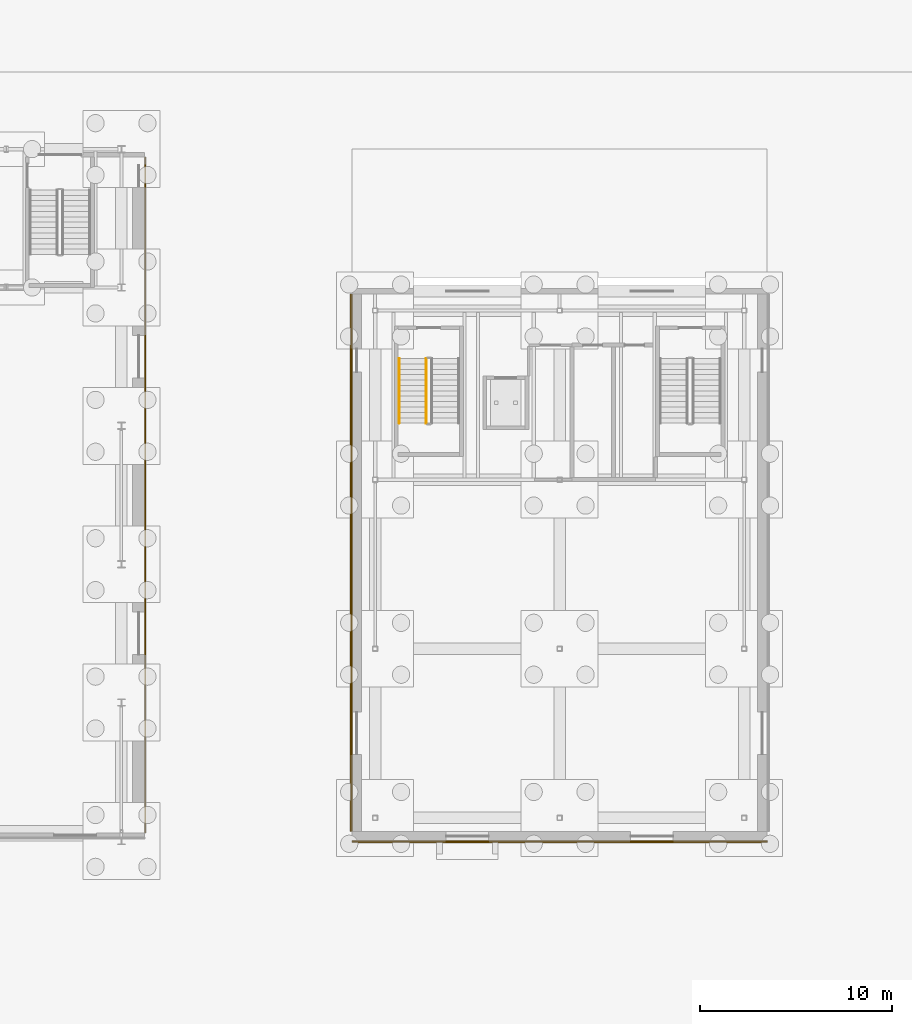
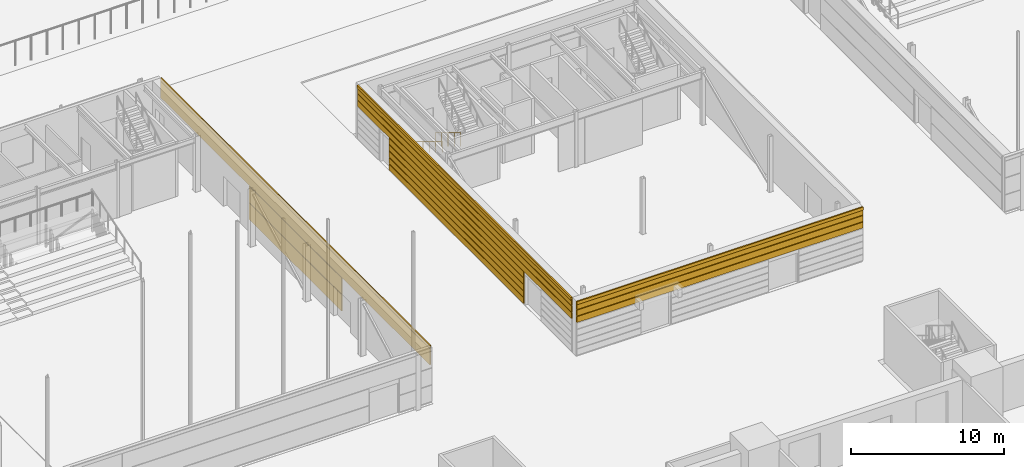
# One storey, part 126 of 139: 17 coverings, 2 railings.
"""IFC4 building model written with IfcOpenShell, lengths in metres."""

from ifc_helpers import new_model, si_unit, direction, frame, origin, origin_2d, place, context, subcontext, project, spatial, rectangle, circle, extrude, material, layer, layer_set, type_object, element, save


model = new_model("IFC4")

# Units and contexts
model_context = context("Model", 3, precision=1e-05, world=origin(), true_north=direction((0.0, 1.0)))
body_context = subcontext(model_context, "Body", "Model", "MODEL_VIEW")
ifc_project = project(units=[si_unit("LENGTHUNIT", "METRE"), si_unit("AREAUNIT", "SQUARE_METRE"), si_unit("VOLUMEUNIT", "CUBIC_METRE"), si_unit("PLANEANGLEUNIT", "RADIAN"), si_unit("MASSUNIT", "GRAM", prefix="KILO")], contexts=[model_context])

# Site, building, storey
site_placement = place(None, origin())
site = spatial("IfcSite", under=ifc_project, at=site_placement, CompositionType="ELEMENT")
building_placement = place(site_placement, origin())
building = spatial("IfcBuilding", under=site, at=building_placement, Name="Verrick Yard Athletic Hall", CompositionType="ELEMENT")
storey_placement = place(building_placement, origin())
storey = spatial("IfcBuildingStorey", under=building, at=storey_placement, Name="L00", CompositionType="ELEMENT", Elevation=0.0)

# Railings
ifc_material_1 = material(Name="Stainless steel", Category="steel")
railing_type_1 = type_object("IfcRailingType", Name="Stair and core guard 1100", PredefinedType="GUARDRAIL", material=ifc_material_1)
railing_1_placement = place(storey_placement, frame((91.85009765625, 97.10009765625, 0.169189453125)))
element("IfcRailing", 1, at=railing_1_placement, inside=storey, type_object=railing_type_1, Name="L00 Climbing hall west stair guard 1", PredefinedType="GUARDRAIL", context=body_context, shape_type="SweptSolid", body=[
    extrude(circle(Radius=0.02392578125, at=origin_2d()), frame((0.0, 0.0, 1.076171875), z_axis=(0.0, -0.855836976705, 0.517245656632), x_axis=(1.0, 0.0, 0.0)), (0.0, 0.0, 1.0), 3.926025390625),
    extrude(circle(Radius=0.02099609375, at=origin_2d()), origin(), (0.0, 0.0, 1.0), 1.052001953125),
    extrude(circle(Radius=0.02099609375, at=origin_2d()), frame((0.0, -0.840087890625, 0.5078125)), (0.0, 0.0, 1.0), 1.052001953125),
    extrude(circle(Radius=0.02099609375, at=origin_2d()), frame((0.0, -1.68017578125, 1.015380859375)), (0.0, 0.0, 1.0), 1.052001953125),
    extrude(circle(Radius=0.02099609375, at=origin_2d()), frame((0.0, -2.52001953125, 1.52294921875)), (0.0, 0.0, 1.0), 1.052001953125),
    extrude(circle(Radius=0.02099609375, at=origin_2d()), frame((0.0, -3.360107421875, 2.03076171875)), (0.0, 0.0, 1.0), 1.052001953125),
])
railing_type_2 = type_object("IfcRailingType", Name="Stair handrail 900", PredefinedType="HANDRAIL", material=ifc_material_1)
railing_2_placement = place(storey_placement, frame((90.449951171875, 97.10009765625, 0.169189453125)))
element("IfcRailing", 2, at=railing_2_placement, inside=storey, type_object=railing_type_2, Name="L00 Climbing hall west stair handrail 1", PredefinedType="HANDRAIL", context=body_context, shape_type="SweptSolid", body=[
    extrude(circle(Radius=0.02392578125, at=origin_2d()), frame((0.0, 0.0, 0.8759765625), z_axis=(0.0, -0.855836976705, 0.517245656632), x_axis=(1.0, 0.0, 0.0)), (0.0, 0.0, 1.0), 3.926025390625),
    extrude(circle(Radius=0.02099609375, at=origin_2d()), origin(), (0.0, 0.0, 1.0), 0.851806640625),
    extrude(circle(Radius=0.02099609375, at=origin_2d()), frame((0.0, -0.840087890625, 0.5078125)), (0.0, 0.0, 1.0), 0.851806640625),
    extrude(circle(Radius=0.02099609375, at=origin_2d()), frame((0.0, -1.68017578125, 1.015380859375)), (0.0, 0.0, 1.0), 0.851806640625),
    extrude(circle(Radius=0.02099609375, at=origin_2d()), frame((0.0, -2.52001953125, 1.52294921875)), (0.0, 0.0, 1.0), 0.851806640625),
    extrude(circle(Radius=0.02099609375, at=origin_2d()), frame((0.0, -3.360107421875, 2.03076171875)), (0.0, 0.0, 1.0), 0.851806640625),
])

# Coverings
ifc_material_2 = material(Name="Tyndall-stone-look precast cladding", Category="masonry")
ifc_layer_1 = layer(ifc_material_2, 0.125)
ifc_layer_set_1 = layer_set([ifc_layer_1], Name="Stone cladding")
covering_type_1 = type_object("IfcCoveringType", Name="Stone cladding", PredefinedType="CLADDING", material=ifc_layer_set_1)
for number, where, z_axis, x_axis, name in (
    (3, (87.96240234375, 87.550048828125, 0.125), (0.0, 0.0, 1.0), (0.0, 1.0, 0.0), "Climbing hall rustication"),
    (4, (87.96240234375, 87.550048828125, 0.643798828125), (0.0, 0.0, 1.0), (0.0, 1.0, 0.0), "Climbing hall rustication"),
    (5, (87.96240234375, 87.550048828125, 1.16259765625), (0.0, 0.0, 1.0), (0.0, 1.0, 0.0), "Climbing hall rustication"),
    (6, (87.96240234375, 87.550048828125, 1.68115234375), (0.0, 0.0, 1.0), (0.0, 1.0, 0.0), "Climbing hall rustication"),
    (7, (87.96240234375, 87.550048828125, 2.199951171875), (0.0, 0.0, 1.0), (0.0, 1.0, 0.0), "Climbing hall rustication"),
):
    element("IfcCovering", number, at=place(storey_placement, frame(where, z_axis=z_axis, x_axis=x_axis)), inside=storey, type_object=covering_type_1, Name=name, PredefinedType="CLADDING", context=body_context, shape_type="SweptSolid", body=[
        extrude(rectangle(XDim=17.60009765625, YDim=0.074951171875, at=origin_2d()), origin(), (0.0, 0.0, 1.0), 0.46875),
    ])
for number, where, z_axis, x_axis, name in (
    (8, (87.96240234375, 86.47509765625, 2.71875), (0.0, 0.0, 1.0), (0.0, 1.0, 0.0), "Climbing hall rustication"),
    (9, (87.96240234375, 86.47509765625, 3.237548828125), (0.0, 0.0, 1.0), (0.0, 1.0, 0.0), "Climbing hall rustication"),
    (10, (87.96240234375, 86.47509765625, 3.75634765625), (0.0, 0.0, 1.0), (0.0, 1.0, 0.0), "Climbing hall rustication"),
):
    element("IfcCovering", number, at=place(storey_placement, frame(where, z_axis=z_axis, x_axis=x_axis)), inside=storey, type_object=covering_type_1, Name=name, PredefinedType="CLADDING", context=body_context, shape_type="SweptSolid", body=[
        extrude(rectangle(XDim=27.949951171875, YDim=0.074951171875, at=origin_2d()), origin(), (0.0, 0.0, 1.0), 0.46875),
    ])
for number, where, z_axis, x_axis, name in (
    (11, (98.800048828125, 71.96240234375, 2.71875), (0.0, 0.0, 1.0), (1.0, 0.0, 0.0), "Climbing hall rustication"),
    (12, (98.800048828125, 71.96240234375, 3.237548828125), (0.0, 0.0, 1.0), (1.0, 0.0, 0.0), "Climbing hall rustication"),
    (13, (98.800048828125, 71.96240234375, 3.75634765625), (0.0, 0.0, 1.0), (1.0, 0.0, 0.0), "Climbing hall rustication"),
):
    element("IfcCovering", number, at=place(storey_placement, frame(where, z_axis=z_axis, x_axis=x_axis)), inside=storey, type_object=covering_type_1, Name=name, PredefinedType="CLADDING", context=body_context, shape_type="SweptSolid", body=[
        extrude(rectangle(XDim=21.60009765625, YDim=0.074951171875, at=origin_2d()), origin(), (0.0, 0.0, 1.0), 0.46875),
    ])
for number, where, z_axis, x_axis, name in (
    (14, (77.237548828125, 90.0009765625, 0.125), (0.0, 0.0, 1.0), (0.0, 1.0, 0.0), "Hall base rustication"),
    (15, (77.237548828125, 90.0009765625, 1.47509765625), (0.0, 0.0, 1.0), (0.0, 1.0, 0.0), "Hall base rustication"),
):
    element("IfcCovering", number, at=place(storey_placement, frame(where, z_axis=z_axis, x_axis=x_axis)), inside=storey, type_object=covering_type_1, Name=name, PredefinedType="CLADDING", context=body_context, shape_type="SweptSolid", body=[
        extrude(rectangle(XDim=12.10009765625, YDim=0.074951171875, at=origin_2d()), origin(), (0.0, 0.0, 1.0), 1.300048828125),
    ])
covering_1_placement = place(storey_placement, frame((77.237548828125, 90.0, 2.8251953125), z_axis=(0.0, 0.0, 1.0), x_axis=(0.0, 1.0, 0.0)))
element("IfcCovering", 16, at=covering_1_placement, inside=storey, type_object=covering_type_1, Name="Hall base rustication", PredefinedType="CLADDING", context=body_context, shape_type="SweptSolid", body=[
    extrude(rectangle(XDim=35.163330078125, YDim=0.074951171875, at=origin_2d()), origin(), (0.0, 0.0, 1.0), 1.300048828125),
])
ifc_layer_2 = layer(ifc_material_2, 0.25)
ifc_layer_set_2 = layer_set([ifc_layer_2], Name="Stone moulding")
covering_type_2 = type_object("IfcCoveringType", Name="Stone moulding", PredefinedType="MOLDING", material=ifc_layer_set_2)
covering_2_placement = place(storey_placement, frame((87.949951171875, 86.47509765625, 4.14990234375), z_axis=(0.0, 0.0, 1.0), x_axis=(0.0, 1.0, 0.0)))
element("IfcCovering", 17, at=covering_2_placement, inside=storey, type_object=covering_type_2, Name="String course", PredefinedType="MOLDING", context=body_context, shape_type="SweptSolid", body=[
    extrude(rectangle(XDim=27.949951171875, YDim=0.10009765625, at=origin_2d()), origin(), (0.0, 0.0, 1.0), 0.25),
])
covering_3_placement = place(storey_placement, frame((98.800048828125, 71.949951171875, 4.14990234375), z_axis=(0.0, 0.0, 1.0), x_axis=(1.0, 0.0, 0.0)))
element("IfcCovering", 18, at=covering_3_placement, inside=storey, type_object=covering_type_2, Name="String course", PredefinedType="MOLDING", context=body_context, shape_type="SweptSolid", body=[
    extrude(rectangle(XDim=21.60009765625, YDim=0.10009765625, at=origin_2d()), origin(), (0.0, 0.0, 1.0), 0.25),
])
covering_4_placement = place(storey_placement, frame((77.237548828125, 90.0, 4.14990234375), z_axis=(0.0, 0.0, 1.0), x_axis=(0.0, 1.0, 0.0)))
element("IfcCovering", 19, at=covering_4_placement, inside=storey, type_object=covering_type_2, Name="String course", PredefinedType="MOLDING", context=body_context, shape_type="SweptSolid", body=[
    extrude(rectangle(XDim=35.163330078125, YDim=0.074951171875, at=origin_2d()), origin(), (0.0, 0.0, 1.0), 0.25),
])

save(model, "model.ifc")
